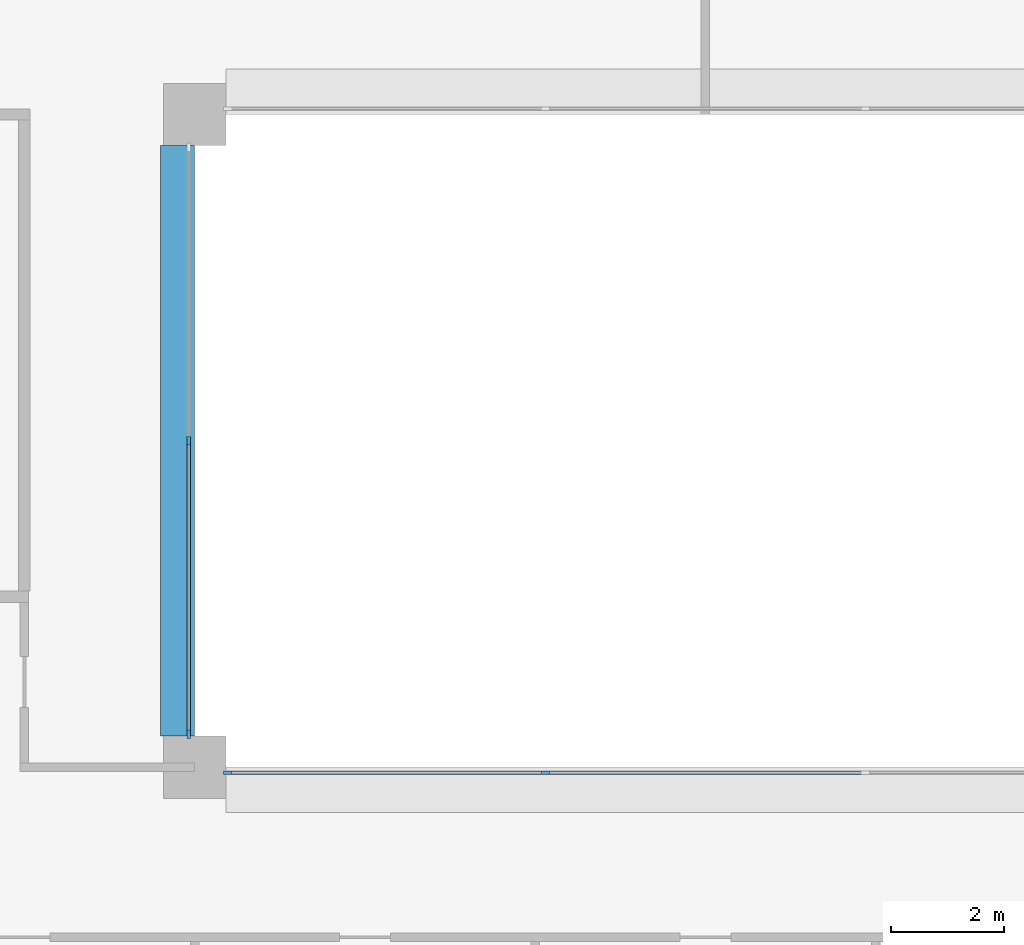
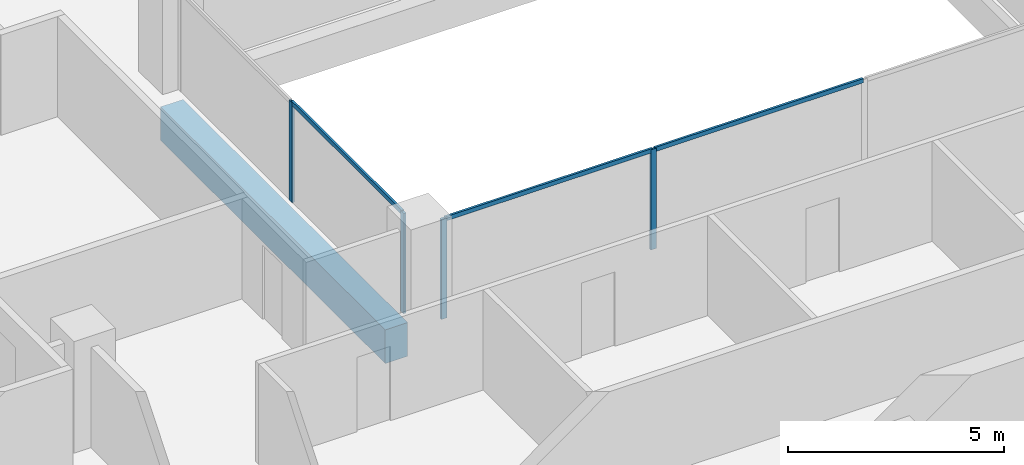
# One storey, part 2 of 16: 7 members, 1 beam, 2 elements without a shape of their own.
"""IFC4 building model written with IfcOpenShell, lengths in metres."""

import ifcopenshell
import ifcopenshell.guid

model = None  # the IFC model being written
_history = None  # IfcOwnerHistory: only IFC2X3 demands one
_inside = {}  # id of a spatial element -> (the spatial element, [elements in it])
_under = {}  # id of a project, library or spatial element -> (it, [spatial elements below it])
_declared = {}  # id of a project -> (the project, [libraries it declares])
_typed = {}  # id of a type object -> (the type object, [elements of that type])
_made_of = {}  # id of a material, layer set ... -> (it, [elements and type objects made of it])


def new_model(schema):
    """Start an empty IFC model of exactly this schema.

    Asked for "IFC4X3", IfcOpenShell would pick the latest addendum, in which some entities
    have other attributes; the version numbers below select the first issue.
    IFC2X3 requires an IfcOwnerHistory on every rooted entity: one is made here for all.
    """
    global model, _history
    if schema == "IFC4X3":
        model = ifcopenshell.file(schema_version=(4, 3, 0, 0))
    else:
        model = ifcopenshell.file(schema=schema)
    _inside.clear()
    _under.clear()
    _declared.clear()
    _typed.clear()
    _made_of.clear()
    _history = None
    if model.schema == "IFC2X3":
        org = make("IfcOrganization", Name="unknown")
        user = make(
            "IfcPersonAndOrganization",
            ThePerson=make("IfcPerson", FamilyName="unknown"),
            TheOrganization=org,
        )
        app = make(
            "IfcApplication",
            ApplicationDeveloper=org,
            Version="unknown",
            ApplicationFullName="unknown",
            ApplicationIdentifier="unknown",
        )
        _history = make(
            "IfcOwnerHistory",
            OwningUser=user,
            OwningApplication=app,
            ChangeAction="ADDED",
            CreationDate=0,
        )
    return model


def make(cls, **values):
    """One entity of the class cls with the attributes given. An attribute that is None is left unset."""
    return model.create_entity(
        cls, **{name: value for name, value in values.items() if value is not None}
    )


def rooted(cls, **values):
    """An entity with a GlobalId (a new one), such as an element, a storey or a relation."""
    return make(cls, GlobalId=ifcopenshell.guid.new(), OwnerHistory=_history, **values)


def si_unit(unit_type, name, prefix=None):
    """IfcSIUnit, for example si_unit("LENGTHUNIT", "METRE", prefix="MILLI")."""
    return make("IfcSIUnit", UnitType=unit_type, Prefix=prefix, Name=name)


def assignment(units):
    """IfcUnitAssignment: the units of a project."""
    return None if units is None else make("IfcUnitAssignment", Units=units)


def point(xyz):
    """IfcCartesianPoint."""
    return None if xyz is None else make("IfcCartesianPoint", Coordinates=xyz)


def direction(xyz):
    """IfcDirection."""
    return None if xyz is None else make("IfcDirection", DirectionRatios=xyz)


def frame(location, z_axis=None, x_axis=None):
    """IfcAxis2Placement3D, a coordinate frame: its origin and axes. An axis left out is left unset."""
    return make(
        "IfcAxis2Placement3D",
        Location=point(location),
        Axis=direction(z_axis),
        RefDirection=direction(x_axis),
    )


def frame_2d(location, x_axis=None):
    """IfcAxis2Placement2D, a coordinate frame in the plane: its origin and x axis."""
    return make(
        "IfcAxis2Placement2D", Location=point(location), RefDirection=direction(x_axis)
    )


def origin():
    """The frame at (0, 0, 0) with its axes left unset."""
    return frame((0.0, 0.0, 0.0))


def origin_2d():
    """The frame at (0, 0) in the plane with its x axis left unset."""
    return frame_2d((0.0, 0.0))


def place(relative_to, where):
    """IfcLocalPlacement: puts the frame where relative to a parent placement (None: the world)."""
    return make(
        "IfcLocalPlacement", PlacementRelTo=relative_to, RelativePlacement=where
    )


def context(
    kind, dimensions, precision=None, world=None, true_north=None, identifier=None
):
    """IfcGeometricRepresentationContext, for example the 3D "Model" context."""
    return make(
        "IfcGeometricRepresentationContext",
        ContextIdentifier=identifier,
        ContextType=kind,
        CoordinateSpaceDimension=dimensions,
        Precision=precision,
        WorldCoordinateSystem=world,
        TrueNorth=true_north,
    )


def subcontext(parent, identifier, kind, view, scale=None):
    """IfcGeometricRepresentationSubContext, for example "Body" below "Model"."""
    return make(
        "IfcGeometricRepresentationSubContext",
        ContextIdentifier=identifier,
        ContextType=kind,
        ParentContext=parent,
        TargetScale=scale,
        TargetView=view,
    )


def project(units=None, contexts=None):
    """IfcProject with its units and contexts."""
    return rooted(
        "IfcProject",
        Name="project",
        RepresentationContexts=contexts,
        UnitsInContext=assignment(units),
    )


def spatial(cls, under=None, at=None, **own):
    """A site, building, storey or space (cls), placed at a placement, below another one or the project."""
    s = rooted(cls, ObjectPlacement=at, **own)
    if under is not None:
        _under.setdefault(under.id(), (under, []))[1].append(s)
    return s


def profile(cls, at=None, kind="AREA", **sizes):
    """A parametric profile (cls). Its sizes go by their IFC names, for example OverallWidth=200.0."""
    return make(cls, ProfileType=kind, Position=at, **sizes)


def rectangle(**sizes):
    """IfcRectangleProfileDef."""
    return profile("IfcRectangleProfileDef", **sizes)


def extrude(swept, where, along, depth):
    """IfcExtrudedAreaSolid: the profile swept, set in the frame where, extruded along a direction by depth."""
    return make(
        "IfcExtrudedAreaSolid",
        SweptArea=swept,
        Position=where,
        ExtrudedDirection=direction(along),
        Depth=depth,
    )


def shape(context_of_items, identifier, shape_type, items):
    """IfcShapeRepresentation: the items that make up one representation, for example the "Body"."""
    return make(
        "IfcShapeRepresentation",
        ContextOfItems=context_of_items,
        RepresentationIdentifier=identifier,
        RepresentationType=shape_type,
        Items=items,
    )


def material(Name=None, Category=None):
    """IfcMaterial."""
    return make("IfcMaterial", Name=Name, Category=Category)


def layer(
    of_material, thickness, ventilated=None, Name=None, Category=None, Priority=None
):
    """IfcMaterialLayer: one layer of a wall or slab, of a material (None: an air gap)."""
    return make(
        "IfcMaterialLayer",
        Material=of_material,
        LayerThickness=thickness,
        IsVentilated=ventilated,
        Name=Name,
        Category=Category,
        Priority=Priority,
    )


def layer_set(layers, Name=None):
    """IfcMaterialLayerSet."""
    return make("IfcMaterialLayerSet", MaterialLayers=layers, LayerSetName=Name)


def material_profile(
    of_material, cross_section, Name=None, Category=None, Priority=None
):
    """IfcMaterialProfile: a cross section and its material."""
    return make(
        "IfcMaterialProfile",
        Name=Name,
        Material=of_material,
        Profile=cross_section,
        Priority=Priority,
        Category=Category,
    )


def profile_set(profiles, Name=None, composite=None):
    """IfcMaterialProfileSet."""
    return make(
        "IfcMaterialProfileSet",
        Name=Name,
        MaterialProfiles=profiles,
        CompositeProfile=composite,
    )


def made_of(thing, what):
    """Note that an element or type object is made of a material, layer set ...; save() writes the relation."""
    if what is not None:
        _made_of.setdefault(what.id(), (what, []))[1].append(thing)
    return thing


def type_object(cls, material=None, **own):
    """A type object (cls), such as IfcWallType, which elements share."""
    return made_of(rooted(cls, **own), material)


def element(
    cls,
    number,
    at=None,
    inside=None,
    cuts=None,
    type_object=None,
    material=None,
    context=None,
    identifier="Body",
    shape_type=None,
    held_by="IfcProductDefinitionShape",
    body=None,
    shapes=None,
    **own,
):
    """One element of the class cls, such as IfcWall. Its Tag is "e" and its number.

    at: its placement. inside: the storey or other place that contains it. cuts: it is an
    opening in that element (IfcRelVoidsElement). A single representation is given by context,
    identifier, shape_type and body (its items); several are given by shapes. held_by: the class
    of the entity that holds the representations. save() writes the other relations.
    """
    e = rooted(cls, Tag="e%d" % number, ObjectPlacement=at, **own)
    if body is not None:
        shapes = [shape(context, identifier, shape_type, body)]
    if shapes is not None:
        e.Representation = make(held_by, Representations=shapes)
    if inside is not None:
        _inside.setdefault(inside.id(), (inside, []))[1].append(e)
    if cuts is not None:
        rooted(
            "IfcRelVoidsElement", RelatingBuildingElement=cuts, RelatedOpeningElement=e
        )
    if type_object is not None:
        _typed.setdefault(type_object.id(), (type_object, []))[1].append(e)
    return made_of(e, material)


def aggregate(whole, parts):
    """IfcRelAggregates: a whole, such as a stair, and the parts it consists of."""
    return rooted("IfcRelAggregates", RelatingObject=whole, RelatedObjects=parts)


def save(model, path):
    """Write the relations noted so far, then the file.

    IfcRelAggregates (storeys below a building ...), IfcRelContainedInSpatialStructure (elements
    in a storey), IfcRelDefinesByType, IfcRelAssociatesMaterial and IfcRelDeclares: one each for
    every whole, place, type object, material and project.
    """
    for whole, parts in _under.values():
        aggregate(whole, parts)
    for where, things in _inside.values():
        rooted(
            "IfcRelContainedInSpatialStructure",
            RelatedElements=things,
            RelatingStructure=where,
        )
    for kind, things in _typed.values():
        rooted("IfcRelDefinesByType", RelatedObjects=things, RelatingType=kind)
    for what, things in _made_of.values():
        rooted("IfcRelAssociatesMaterial", RelatedObjects=things, RelatingMaterial=what)
    for by, libraries in _declared.values():
        rooted("IfcRelDeclares", RelatingContext=by, RelatedDefinitions=libraries)
    model.write(path)


model = new_model("IFC4")

# Units and contexts
model_context = context("Model", 3, precision=1e-05, world=origin(), true_north=direction((0.0, 1.0)))
body_context = subcontext(model_context, "Body", "Model", "MODEL_VIEW")
ifc_project = project(units=[si_unit("LENGTHUNIT", "METRE"), si_unit("AREAUNIT", "SQUARE_METRE"), si_unit("VOLUMEUNIT", "CUBIC_METRE"), si_unit("PLANEANGLEUNIT", "RADIAN"), si_unit("MASSUNIT", "GRAM", prefix="KILO")], contexts=[model_context])

# Site, building, storey
site_placement = place(None, origin())
site = spatial("IfcSite", under=ifc_project, at=site_placement, CompositionType="ELEMENT")
building_placement = place(site_placement, origin())
building = spatial("IfcBuilding", under=site, at=building_placement, Name="Brigalow Station Residences", CompositionType="ELEMENT")
storey_placement = place(building_placement, frame((0.0, 0.0, 163.35009765625)))
storey = spatial("IfcBuildingStorey", under=building, at=storey_placement, Name="L47", CompositionType="ELEMENT", Elevation=163.35009765625)

# Beam
ifc_material_1 = material(Name="Concrete C65", Category="concrete")
ifc_material_profile_1 = material_profile(ifc_material_1, rectangle(XDim=0.60009765625, YDim=0.949951171875, at=origin_2d()), Name="RC600x950")
ifc_profile_set_1 = profile_set([ifc_material_profile_1], Name="Concrete C65")
beam_type = type_object("IfcBeamType", Name="ATRIUM EDGE GIRDER 600x950 C65", PredefinedType="BEAM", material=ifc_profile_set_1)
beam_placement = place(storey_placement, frame((26.699951171875, 24.550048828125, -0.795166015625), z_axis=(0.0, 1.0, 0.0), x_axis=(-1.0, 0.0, 0.0)))
element("IfcBeam", 1, at=beam_placement, inside=storey, type_object=beam_type, Name="ATRIUM EDGE GIRDER 3 L47", PredefinedType="BEAM", context=body_context, shape_type="SweptSolid", body=[
    extrude(rectangle(XDim=0.60009765625, YDim=0.949951171875, at=origin_2d()), origin(), (0.0, 0.0, 1.0), 10.39990234375),
])

# Curtain wall, members
ifc_material_2 = material(Name="Aluminium", Category="aluminium")
ifc_layer = layer(ifc_material_2, 0.14990234375)
ifc_layer_set = layer_set([ifc_layer], Name="ATRIUM FIRE-RATED GLAZING CURTAIN WALL")
curtain_wall_type = type_object("IfcCurtainWallType", Name="ATRIUM FIRE-RATED GLAZING CURTAIN WALL", PredefinedType="NOTDEFINED", material=ifc_layer_set)
curtain_wall_1_placement = place(storey_placement, origin())
curtain_wall_1 = element("IfcCurtainWall", 2, at=curtain_wall_1_placement, inside=storey, type_object=curtain_wall_type, Name="L47/cw/atrium-S", PredefinedType="NOTDEFINED")
ifc_material_3 = material(Name="Aluminium", Category="aluminium")
ifc_material_profile_2 = material_profile(ifc_material_3, rectangle(XDim=0.06005859375, YDim=0.14990234375, at=origin_2d()), Name="ATRIUM FIRE-RATED GLAZING MULLION 60x150")
ifc_profile_set_2 = profile_set([ifc_material_profile_2], Name="Aluminium")
member_type_1 = type_object("IfcMemberType", Name="ATRIUM FIRE-RATED GLAZING MULLION 60x150", PredefinedType="MULLION", material=ifc_profile_set_2)
member_1_placement = place(storey_placement, frame((27.580078125, 23.89990234375, 0.0), z_axis=(0.0, 0.0, 1.0), x_axis=(0.0, 1.0, 0.0)))
member_1 = element("IfcMember", 3, at=member_1_placement, type_object=member_type_1, Name="L47/cw/atrium-S/M00", PredefinedType="MULLION", context=body_context, shape_type="SweptSolid", body=[
    extrude(rectangle(XDim=0.06005859375, YDim=0.14990234375, at=origin_2d()), origin(), (0.0, 0.0, 1.0), 2.829833984375),
])
member_2_placement = place(storey_placement, frame((33.183349609375, 23.89990234375, 0.0), z_axis=(0.0, 0.0, 1.0), x_axis=(0.0, 1.0, 0.0)))
member_2 = element("IfcMember", 4, at=member_2_placement, type_object=member_type_1, Name="L47/cw/atrium-S/M01", PredefinedType="MULLION", context=body_context, shape_type="SweptSolid", body=[
    extrude(rectangle(XDim=0.06005859375, YDim=0.14990234375, at=origin_2d()), origin(), (0.0, 0.0, 1.0), 2.829833984375),
])

curtain_wall_2_placement = place(storey_placement, origin())
curtain_wall_2 = element("IfcCurtainWall", 5, at=curtain_wall_2_placement, inside=storey, type_object=curtain_wall_type, Name="L47/cw/atrium-W", PredefinedType="NOTDEFINED")
member_3_placement = place(storey_placement, frame((26.89990234375, 29.75, 0.0), z_axis=(0.0, 0.0, 1.0), x_axis=(1.0, 0.0, 0.0)))
member_3 = element("IfcMember", 6, at=member_3_placement, type_object=member_type_1, Name="L47/cw/atrium-W/M01", PredefinedType="MULLION", context=body_context, shape_type="SweptSolid", body=[
    extrude(rectangle(XDim=0.06005859375, YDim=0.14990234375, at=origin_2d()), origin(), (0.0, 0.0, 1.0), 2.829833984375),
])
member_4_placement = place(storey_placement, frame((26.89990234375, 24.580078125, 0.0), z_axis=(0.0, 0.0, 1.0), x_axis=(1.0, 0.0, 0.0)))
member_4 = element("IfcMember", 7, at=member_4_placement, type_object=member_type_1, Name="L47/cw/atrium-W/M02", PredefinedType="MULLION", context=body_context, shape_type="SweptSolid", body=[
    extrude(rectangle(XDim=0.06005859375, YDim=0.14990234375, at=origin_2d()), origin(), (0.0, 0.0, 1.0), 2.829833984375),
])

# Member
ifc_material_4 = material(Name="Aluminium", Category="aluminium")
ifc_material_profile_3 = material_profile(ifc_material_4, rectangle(XDim=0.06005859375, YDim=0.1201171875, at=origin_2d()), Name="ATRIUM FIRE-RATED GLAZING TRANSOM 60x120")
ifc_profile_set_3 = profile_set([ifc_material_profile_3], Name="Aluminium")
member_type_2 = type_object("IfcMemberType", Name="ATRIUM FIRE-RATED GLAZING TRANSOM 60x120", PredefinedType="USERDEFINED", material=ifc_profile_set_3)
member_5_placement = place(storey_placement, frame((27.610107421875, 23.89990234375, 2.7998046875), z_axis=(1.0, 0.0, 0.0), x_axis=(0.0, 1.0, 0.0)))
member_5 = element("IfcMember", 8, at=member_5_placement, type_object=member_type_2, Name="L47/cw/atrium-S/T00-00", ObjectType="TRANSOM", PredefinedType="USERDEFINED", context=body_context, shape_type="SweptSolid", body=[
    extrude(rectangle(XDim=0.06005859375, YDim=0.1201171875, at=origin_2d()), origin(), (0.0, 0.0, 1.0), 5.543212890625),
])

member_6_placement = place(storey_placement, frame((33.21337890625, 23.89990234375, 2.7998046875), z_axis=(1.0, 0.0, 0.0), x_axis=(0.0, 1.0, 0.0)))
member_6 = element("IfcMember", 9, at=member_6_placement, type_object=member_type_2, Name="L47/cw/atrium-S/T01-00", ObjectType="TRANSOM", PredefinedType="USERDEFINED", context=body_context, shape_type="SweptSolid", body=[
    extrude(rectangle(XDim=0.06005859375, YDim=0.1201171875, at=origin_2d()), origin(), (0.0, 0.0, 1.0), 5.5732421875),
])

aggregate(curtain_wall_1, [member_1, member_2, member_5, member_6])

member_7_placement = place(storey_placement, frame((26.89990234375, 29.719970703125, 2.7998046875), z_axis=(0.0, -1.0, 0.0), x_axis=(1.0, 0.0, 0.0)))
member_7 = element("IfcMember", 10, at=member_7_placement, type_object=member_type_2, Name="L47/cw/atrium-W/T01-00", ObjectType="TRANSOM", PredefinedType="USERDEFINED", context=body_context, shape_type="SweptSolid", body=[
    extrude(rectangle(XDim=0.06005859375, YDim=0.1201171875, at=origin_2d()), origin(), (0.0, 0.0, 1.0), 5.10986328125),
])

aggregate(curtain_wall_2, [member_3, member_4, member_7])

save(model, "model.ifc")
